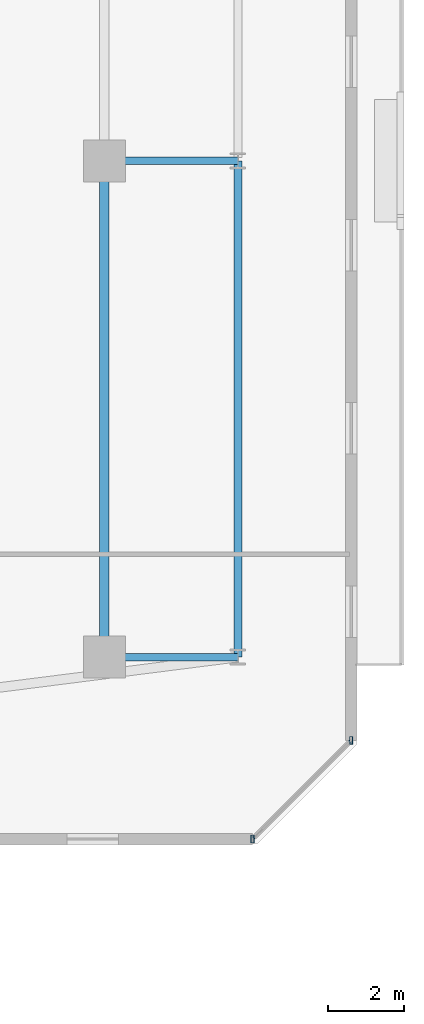
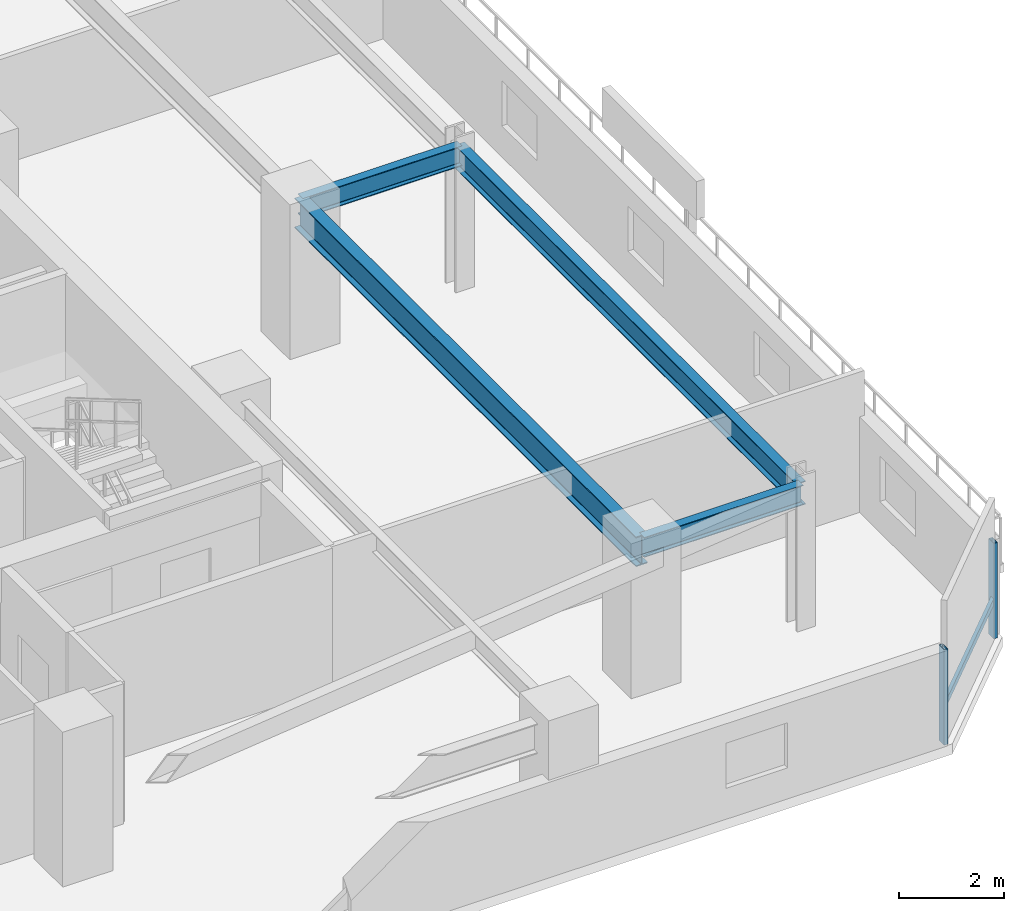
# One storey, part 14 of 36: 4 beams, 3 members, 1 element without a shape of its own.
"""IFC4 building model written with IfcOpenShell, lengths in metres."""

from ifc_helpers import new_model, si_unit, direction, frame, origin, origin_2d, place, context, subcontext, project, spatial, hollow_rectangle, i_section, extrude, material, material_profile, profile_set, type_object, element, aggregate, save


model = new_model("IFC4")

# Units and contexts
model_context = context("Model", 3, precision=1e-05, world=origin(), true_north=direction((0.0, 1.0)))
body_context = subcontext(model_context, "Body", "Model", "MODEL_VIEW")
ifc_project = project(units=[si_unit("LENGTHUNIT", "METRE"), si_unit("AREAUNIT", "SQUARE_METRE"), si_unit("VOLUMEUNIT", "CUBIC_METRE"), si_unit("PLANEANGLEUNIT", "RADIAN"), si_unit("MASSUNIT", "GRAM", prefix="KILO")], contexts=[model_context])

# Site, building, storey
site_placement = place(None, origin())
site = spatial("IfcSite", under=ifc_project, at=site_placement, CompositionType="ELEMENT")
building_placement = place(site_placement, origin())
building = spatial("IfcBuilding", under=site, at=building_placement, Name="Thornwick Lancets Civic Towers", CompositionType="ELEMENT")
storey_placement = place(building_placement, frame((0.0, 0.0, 170.699951171875)))
storey = spatial("IfcBuildingStorey", under=building, at=storey_placement, Name="L45", CompositionType="ELEMENT", Elevation=170.699951171875)

# Beams
ifc_material_1 = material(Name="Steel S355JR", Category="steel")
ifc_material_profile_1 = material_profile(ifc_material_1, i_section(OverallWidth=0.210693359375, OverallDepth=0.53955078125, WebThickness=0.01171875, FlangeThickness=0.018798828125, FilletRadius=0.0126953125, at=origin_2d()), Name="UKB 533x210x109")
ifc_profile_set_1 = profile_set([ifc_material_profile_1], Name="Steel S355JR")
beam_type_1 = type_object("IfcBeamType", Name="BM_EDGE_533_109", PredefinedType="SPANDREL", material=ifc_profile_set_1)
beam_1_placement = place(storey_placement, frame((109.300048828125, 14.0, 3.01025390625), z_axis=(0.0, 1.0, 0.0), x_axis=(-1.0, 0.0, 0.0)))
element("IfcBeam", 1, at=beam_1_placement, inside=storey, type_object=beam_type_1, Name="BM-EDGE-L45-B-S0-1", PredefinedType="SPANDREL", context=body_context, shape_type="SweptSolid", body=[
    extrude(i_section(OverallWidth=0.210693359375, OverallDepth=0.53955078125, WebThickness=0.01171875, FlangeThickness=0.018798828125, FilletRadius=0.0126953125, at=origin_2d()), origin(), (0.0, 0.0, 1.0), 13.0),
])
ifc_material_profile_2 = material_profile(ifc_material_1, i_section(OverallWidth=0.255859375, OverallDepth=0.69287109375, WebThickness=0.014404296875, FlangeThickness=0.023681640625, FilletRadius=0.01513671875, at=origin_2d()), Name="UKB 686x254x170")
ifc_profile_set_2 = profile_set([ifc_material_profile_2], Name="Steel S355JR")
beam_type_2 = type_object("IfcBeamType", Name="BM_GIRD_686_170", PredefinedType="BEAM", material=ifc_profile_set_2)
beam_2_placement = place(storey_placement, frame((105.800048828125, 14.0, 2.93359375), z_axis=(0.0, 1.0, 0.0), x_axis=(-1.0, 0.0, 0.0)))
element("IfcBeam", 2, at=beam_2_placement, inside=storey, type_object=beam_type_2, Name="BM-SPINE-L45-B-0-1", PredefinedType="BEAM", context=body_context, shape_type="SweptSolid", body=[
    extrude(i_section(OverallWidth=0.255859375, OverallDepth=0.69287109375, WebThickness=0.014404296875, FlangeThickness=0.023681640625, FilletRadius=0.01513671875, at=origin_2d()), origin(), (0.0, 0.0, 1.0), 13.0),
])
ifc_material_profile_3 = material_profile(ifc_material_1, i_section(OverallWidth=0.19189453125, OverallDepth=0.46337890625, WebThickness=0.010498046875, FlangeThickness=0.017578125, FilletRadius=0.01025390625, at=origin_2d()), Name="UKB 457x191x89")
ifc_profile_set_3 = profile_set([ifc_material_profile_3], Name="Steel S355JR")
beam_type_3 = type_object("IfcBeamType", Name="BM_JOIST_457_89", PredefinedType="JOIST", material=ifc_profile_set_3)
for number, where, z_axis, x_axis, name in (
    (3, (105.800048828125, 14.0, 3.04833984375), (1.0, 0.0, 0.0), (0.0, 1.0, 0.0), "BM-RAD-L45-B01"),
    (4, (105.800048828125, 27.0, 3.04833984375), (1.0, 0.0, 0.0), (0.0, 1.0, 0.0), "BM-RAD-L45-B02"),
):
    element("IfcBeam", number, at=place(storey_placement, frame(where, z_axis=z_axis, x_axis=x_axis)), inside=storey, type_object=beam_type_3, Name=name, PredefinedType="JOIST", context=body_context, shape_type="SweptSolid", body=[
        extrude(i_section(OverallWidth=0.19189453125, OverallDepth=0.46337890625, WebThickness=0.010498046875, FlangeThickness=0.017578125, FilletRadius=0.01025390625, at=origin_2d()), origin(), (0.0, 0.0, 1.0), 3.5),
    ])

# Curtain wall, members
ifc_material_2 = material(Name="Mid-zone chamfered-corner unitised glass curtain wall", Category="glass")
curtain_wall_type = type_object("IfcCurtainWallType", Name="CW_SYS_04", PredefinedType="NOTDEFINED", material=ifc_material_2)
curtain_wall_placement = place(storey_placement, origin())
curtain_wall = element("IfcCurtainWall", 5, at=curtain_wall_placement, inside=storey, type_object=curtain_wall_type, Name="L45 Curtain Wall CW-L45-B-E1", PredefinedType="NOTDEFINED")
ifc_material_3 = material(Name="Thermally broken bronze aluminium S355", Category="steel")
ifc_material_profile_4 = material_profile(ifc_material_3, hollow_rectangle(XDim=0.080078125, YDim=0.199951171875, WallThickness=0.006103515625, at=origin_2d()), Name="RHS 200x80x6")
ifc_profile_set_4 = profile_set([ifc_material_profile_4], Name="Thermally broken bronze aluminium S355")
member_type_1 = type_object("IfcMemberType", Name="CW_MUL_200", PredefinedType="MULLION", material=ifc_profile_set_4)
member_1_placement = place(storey_placement, frame((109.681396484375, 9.2353515625, 0.0), z_axis=(0.0, 0.0, 1.0), x_axis=(1.0, 0.0, 0.0)))
member_1 = element("IfcMember", 6, at=member_1_placement, type_object=member_type_1, Name="CW-L45-B-E1 Mullion 0", PredefinedType="MULLION", context=body_context, shape_type="SweptSolid", body=[
    extrude(hollow_rectangle(XDim=0.080078125, YDim=0.199951171875, WallThickness=0.006103515625, at=origin_2d()), origin(), (0.0, 0.0, 1.0), 2.219970703125),
])
member_2_placement = place(storey_placement, frame((112.2646484375, 11.818603515625, 0.0), z_axis=(0.0, 0.0, 1.0), x_axis=(1.0, 0.0, 0.0)))
member_2 = element("IfcMember", 7, at=member_2_placement, type_object=member_type_1, Name="CW-L45-B-E1 Mullion 1", PredefinedType="MULLION", context=body_context, shape_type="SweptSolid", body=[
    extrude(hollow_rectangle(XDim=0.080078125, YDim=0.199951171875, WallThickness=0.006103515625, at=origin_2d()), origin(), (0.0, 0.0, 1.0), 2.219970703125),
])
ifc_material_profile_5 = material_profile(ifc_material_3, hollow_rectangle(XDim=0.074951171875, YDim=0.14990234375, WallThickness=0.0048828125, at=origin_2d()), Name="RHS 150x75x5")
ifc_profile_set_5 = profile_set([ifc_material_profile_5], Name="Thermally broken bronze aluminium S355")
member_type_2 = type_object("IfcMemberType", Name="CW_TRN_150", PredefinedType="USERDEFINED", material=ifc_profile_set_5)
member_3_placement = place(storey_placement, frame((109.695556640625, 9.24951171875, 0.85009765625), z_axis=(0.707106781187, 0.707106781187, 0.0), x_axis=(-0.707106781187, 0.707106781187, 0.0)))
member_3 = element("IfcMember", 8, at=member_3_placement, type_object=member_type_2, Name="CW-L45-B-E1 Transom 0", ObjectType="TRANSOM", PredefinedType="USERDEFINED", context=body_context, shape_type="SweptSolid", body=[
    extrude(hollow_rectangle(XDim=0.074951171875, YDim=0.14990234375, WallThickness=0.0048828125, at=origin_2d()), origin(), (0.0, 0.0, 1.0), 3.61328125),
])
aggregate(curtain_wall, [member_1, member_2, member_3])

save(model, "model.ifc")
